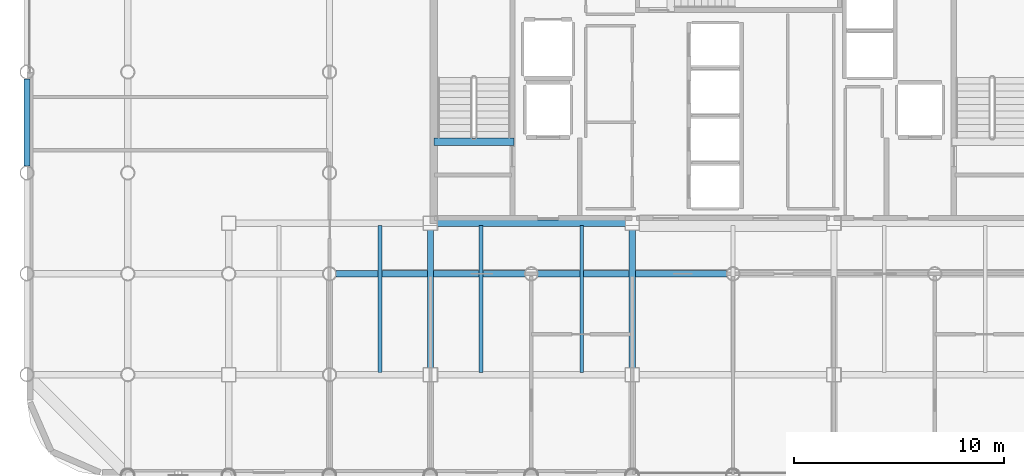
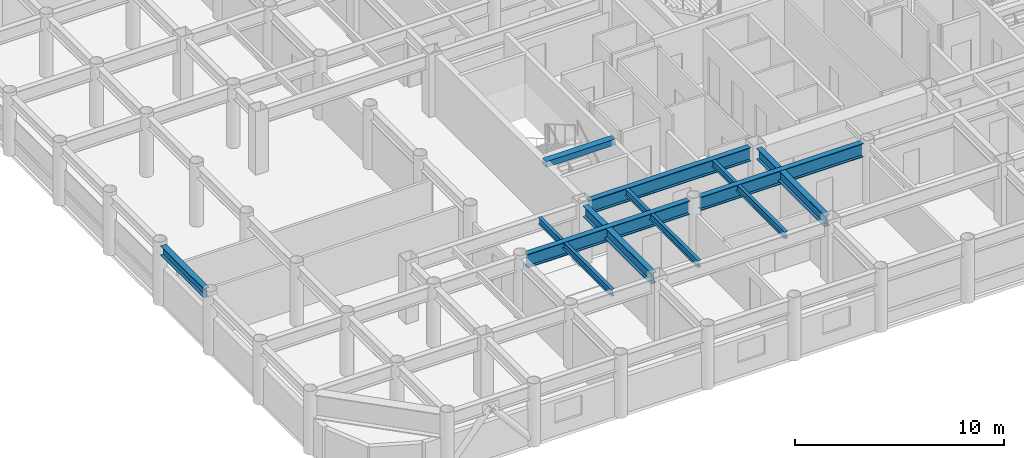
# One storey, part 3 of 21: 10 beams.
"""IFC4 building model written with IfcOpenShell, lengths in metres."""

from ifc_helpers import new_model, si_unit, direction, frame, origin, origin_2d, place, context, subcontext, project, spatial, rectangle, i_section, extrude, material, material_profile, profile_set, type_object, element, save


model = new_model("IFC4")

# Units and contexts
model_context = context("Model", 3, precision=1e-05, world=origin(), true_north=direction((0.0, 1.0)))
body_context = subcontext(model_context, "Body", "Model", "MODEL_VIEW")
ifc_project = project(units=[si_unit("LENGTHUNIT", "METRE"), si_unit("AREAUNIT", "SQUARE_METRE"), si_unit("VOLUMEUNIT", "CUBIC_METRE"), si_unit("PLANEANGLEUNIT", "RADIAN"), si_unit("MASSUNIT", "GRAM", prefix="KILO")], contexts=[model_context])

# Site, building, storey
site_placement = place(None, origin())
site = spatial("IfcSite", under=ifc_project, at=site_placement, CompositionType="ELEMENT")
building_placement = place(site_placement, origin())
building = spatial("IfcBuilding", under=site, at=building_placement, Name="Kallvorn Hotel Tower", CompositionType="ELEMENT")
storey_placement = place(building_placement, frame((0.0, 0.0, 139.60009765625)))
storey = spatial("IfcBuildingStorey", under=building, at=storey_placement, Name="L34", CompositionType="ELEMENT", Elevation=139.60009765625)

# Beams
ifc_material_1 = material(Name="Structural steel S355JR", Category="steel")
ifc_material_profile_1 = material_profile(ifc_material_1, i_section(OverallWidth=0.300048828125, OverallDepth=0.550048828125, WebThickness=0.014892578125, FlangeThickness=0.029052734375, at=origin_2d()), Name="HE 550 B")
ifc_profile_set_1 = profile_set([ifc_material_profile_1], Name="Structural steel S355JR")
beam_type_1 = type_object("IfcBeamType", Name="BM_HE550B", PredefinedType="SPANDREL", material=ifc_profile_set_1)
beam_1_placement = place(storey_placement, frame((-33.60009765625, -4.47998046875, 3.244873046875), z_axis=(0.0, 1.0, 0.0), x_axis=(-1.0, 0.0, 0.0)))
element("IfcBeam", 1, at=beam_1_placement, inside=storey, type_object=beam_type_1, Name="L35 Perimeter Spandrel 176", PredefinedType="SPANDREL", context=body_context, shape_type="SweptSolid", body=[
    extrude(i_section(OverallWidth=0.300048828125, OverallDepth=0.550048828125, WebThickness=0.014892578125, FlangeThickness=0.029052734375, at=origin_2d()), origin(), (0.0, 0.0, 1.0), 4.159912109375),
])
ifc_material_2 = material(Name="Structural steel S355JR", Category="steel")
ifc_material_profile_2 = material_profile(ifc_material_2, i_section(OverallWidth=0.300048828125, OverallDepth=0.64990234375, WebThickness=0.01611328125, FlangeThickness=0.031005859375, at=origin_2d()), Name="HE 650 B")
ifc_profile_set_2 = profile_set([ifc_material_profile_2], Name="Structural steel S355JR")
beam_type_2 = type_object("IfcBeamType", Name="BM_HE650B", PredefinedType="BEAM", material=ifc_profile_set_2)
for number, where, z_axis, x_axis, name in (
    (2, (-14.39990234375, -14.074951171875, 3.19482421875), (0.0, 1.0, 0.0), (-1.0, 0.0, 0.0), "L35 Primary Y-Girder 99"),
    (3, (-4.800048828125, -14.074951171875, 3.19482421875), (0.0, 1.0, 0.0), (-1.0, 0.0, 0.0), "L35 Primary Y-Girder 107"),
):
    element("IfcBeam", number, at=place(storey_placement, frame(where, z_axis=z_axis, x_axis=x_axis)), inside=storey, type_object=beam_type_2, Name=name, PredefinedType="BEAM", context=body_context, shape_type="SweptSolid", body=[
        extrude(i_section(OverallWidth=0.300048828125, OverallDepth=0.64990234375, WebThickness=0.01611328125, FlangeThickness=0.031005859375, at=origin_2d()), origin(), (0.0, 0.0, 1.0), 6.550048828125),
    ])
ifc_material_3 = material(Name="Structural steel S355JR", Category="steel")
ifc_material_profile_3 = material_profile(ifc_material_3, i_section(OverallWidth=0.300048828125, OverallDepth=0.800048828125, WebThickness=0.017578125, FlangeThickness=0.032958984375, at=origin_2d()), Name="HE 800 B")
ifc_profile_set_3 = profile_set([ifc_material_profile_3], Name="Structural steel S355JR")
beam_type_3 = type_object("IfcBeamType", Name="BM_HE800B", PredefinedType="BEAM", material=ifc_profile_set_3)
for number, where, z_axis, x_axis, name in (
    (4, (-18.89501953125, -9.60009765625, 3.119873046875), (1.0, 0.0, 0.0), (0.0, 1.0, 0.0), "L35 Primary X-Girder 26"),
    (5, (-9.294921875, -9.60009765625, 3.119873046875), (1.0, 0.0, 0.0), (0.0, 1.0, 0.0), "L35 Primary X-Girder 27"),
):
    element("IfcBeam", number, at=place(storey_placement, frame(where, z_axis=z_axis, x_axis=x_axis)), inside=storey, type_object=beam_type_3, Name=name, PredefinedType="BEAM", context=body_context, shape_type="SweptSolid", body=[
        extrude(i_section(OverallWidth=0.300048828125, OverallDepth=0.800048828125, WebThickness=0.017578125, FlangeThickness=0.032958984375, at=origin_2d()), origin(), (0.0, 0.0, 1.0), 8.989990234375),
    ])
beam_2_placement = place(storey_placement, frame((-14.074951171875, -7.199951171875, 3.119873046875), z_axis=(1.0, 0.0, 0.0), x_axis=(0.0, 1.0, 0.0)))
element("IfcBeam", 6, at=beam_2_placement, inside=storey, type_object=beam_type_3, Name="L35 Primary X-Girder 33", PredefinedType="BEAM", context=body_context, shape_type="SweptSolid", body=[
    extrude(i_section(OverallWidth=0.300048828125, OverallDepth=0.800048828125, WebThickness=0.017578125, FlangeThickness=0.032958984375, at=origin_2d()), origin(), (0.0, 0.0, 1.0), 8.949951171875),
])
ifc_material_4 = material(Name="Structural steel S355JR", Category="steel")
ifc_material_profile_4 = material_profile(ifc_material_4, i_section(OverallWidth=0.179931640625, OverallDepth=0.39990234375, WebThickness=0.008544921875, FlangeThickness=0.013427734375, at=origin_2d()), Name="IPE 400")
ifc_profile_set_4 = profile_set([ifc_material_profile_4], Name="Structural steel S355JR")
beam_type_4 = type_object("IfcBeamType", Name="BM_IPE400", PredefinedType="JOIST", material=ifc_profile_set_4)
for number, where, z_axis, x_axis, name in (
    (7, (-16.800048828125, -14.300048828125, 3.31982421875), (0.0, 1.0, 0.0), (-1.0, 0.0, 0.0), "L35 Secondary Composite Joist 194"),
    (8, (-12.0, -14.300048828125, 3.31982421875), (0.0, 1.0, 0.0), (-1.0, 0.0, 0.0), "L35 Secondary Composite Joist 196"),
    (9, (-7.199951171875, -14.300048828125, 3.31982421875), (0.0, 1.0, 0.0), (-1.0, 0.0, 0.0), "L35 Secondary Composite Joist 198"),
):
    element("IfcBeam", number, at=place(storey_placement, frame(where, z_axis=z_axis, x_axis=x_axis)), inside=storey, type_object=beam_type_4, Name=name, PredefinedType="JOIST", context=body_context, shape_type="SweptSolid", body=[
        extrude(i_section(OverallWidth=0.179931640625, OverallDepth=0.39990234375, WebThickness=0.008544921875, FlangeThickness=0.013427734375, at=origin_2d()), origin(), (0.0, 0.0, 1.0), 7.0),
    ])
ifc_material_5 = material(Name="Concrete C50/60", Category="concrete")
ifc_material_profile_5 = material_profile(ifc_material_5, rectangle(XDim=0.360107421875, YDim=0.340087890625, at=origin_2d()), Name="RC 360x340")
ifc_profile_set_5 = profile_set([ifc_material_profile_5], Name="Concrete C50/60")
beam_type_5 = type_object("IfcBeamType", Name="BM_RC_400x360", PredefinedType="BEAM", material=ifc_profile_set_5)
beam_3_placement = place(storey_placement, frame((-10.419921875, -3.31005859375, 3.349853515625), z_axis=(-1.0, 0.0, 0.0), x_axis=(0.0, -1.0, 0.0)))
element("IfcBeam", 10, at=beam_3_placement, inside=storey, type_object=beam_type_5, Name="L35 Stair ST1 Arrival Trimmer Beam", PredefinedType="BEAM", context=body_context, shape_type="SweptSolid", body=[
    extrude(rectangle(XDim=0.360107421875, YDim=0.340087890625, at=origin_2d()), origin(), (0.0, 0.0, 1.0), 3.820068359375),
])

save(model, "model.ifc")
